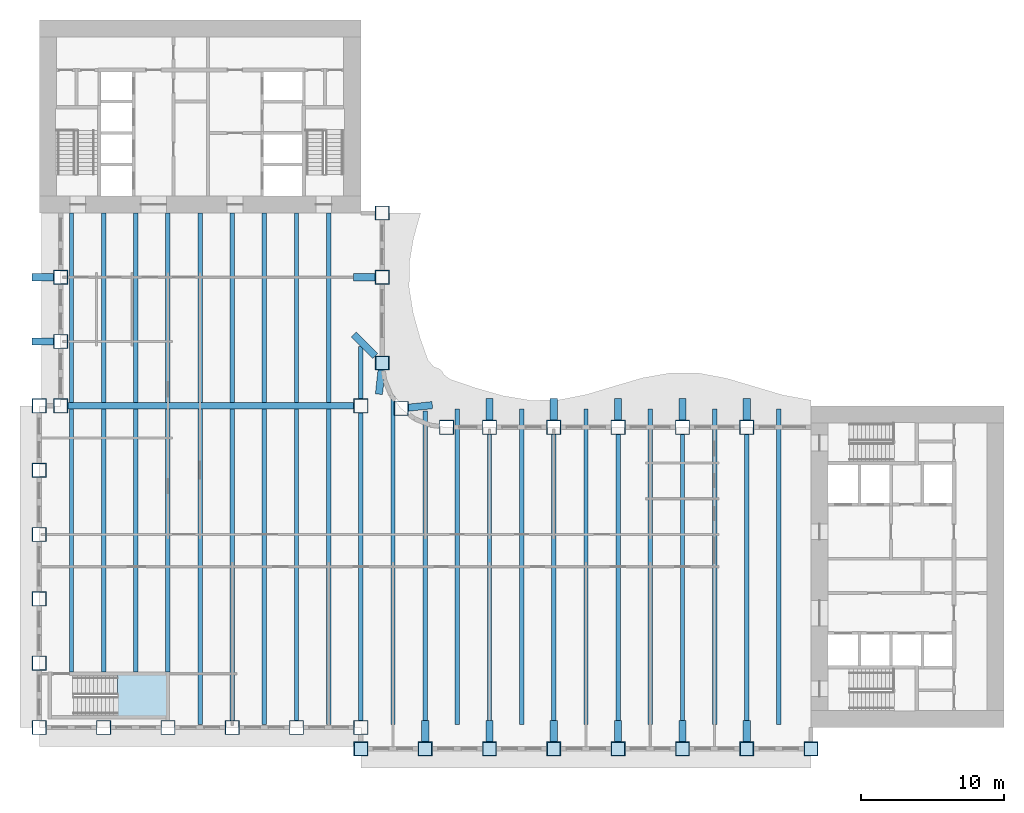
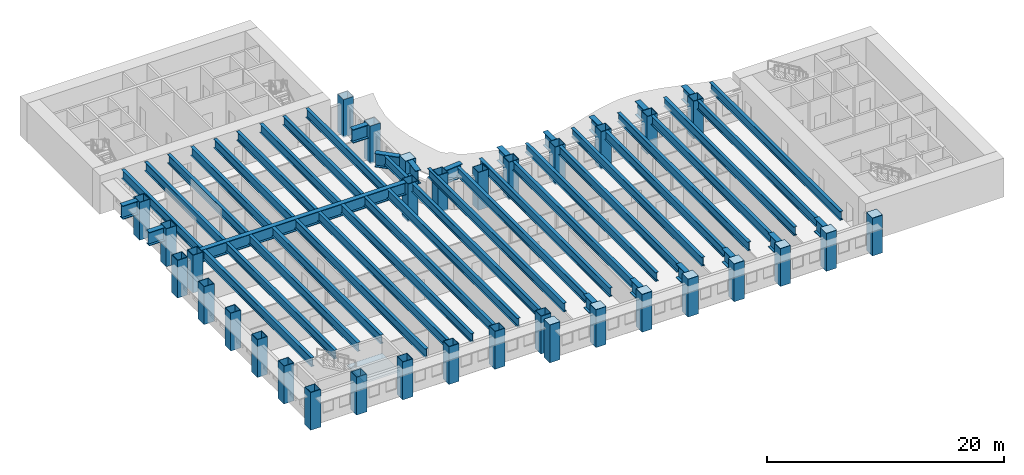
# One storey, part 1 of 16: 51 beams, 33 columns, 9 plates, 1 slab, 1 element without a shape of its own.
"""IFC4 building model written with IfcOpenShell, lengths in metres."""

from ifc_helpers import new_model, si_unit, direction, frame, origin, origin_2d, place, context, subcontext, project, spatial, polyline, rectangle, hollow_rectangle, i_section, outline, extrude, material, layer, layer_set, material_profile, profile_set, type_object, element, aggregate, save


model = new_model("IFC4")

# Units and contexts
model_context = context("Model", 3, precision=1e-05, world=origin(), true_north=direction((0.0, 1.0)))
body_context = subcontext(model_context, "Body", "Model", "MODEL_VIEW")
ifc_project = project(units=[si_unit("LENGTHUNIT", "METRE"), si_unit("AREAUNIT", "SQUARE_METRE"), si_unit("VOLUMEUNIT", "CUBIC_METRE"), si_unit("PLANEANGLEUNIT", "RADIAN"), si_unit("MASSUNIT", "GRAM", prefix="KILO")], contexts=[model_context])

# Site, building, storey
site_placement = place(None, origin())
site = spatial("IfcSite", under=ifc_project, at=site_placement, CompositionType="ELEMENT")
building_placement = place(site_placement, origin())
building = spatial("IfcBuilding", under=site, at=building_placement, Name="Sennacour Bend Tower", CompositionType="ELEMENT")
storey_placement = place(building_placement, frame((0.0, 0.0, 127.0)))
storey = spatial("IfcBuildingStorey", under=building, at=storey_placement, Name="L29", CompositionType="ELEMENT", Elevation=127.0)

# Columns
ifc_material_1 = material(Name="Steel ASTM A572 Grade 50", Category="steel")
ifc_material_profile_1 = material_profile(ifc_material_1, hollow_rectangle(XDim=1.0, YDim=1.0, WallThickness=0.050048828125, at=origin_2d()), Name="Steel ASTM A572 Grade 50", Category="steel")
ifc_profile_set_1 = profile_set([ifc_material_profile_1], Name="Steel ASTM A572 Grade 50")
column_type = type_object("IfcColumnType", Name="Box column 1000", PredefinedType="COLUMN", material=ifc_profile_set_1)
for number, where, z_axis, x_axis, name in (
    (1, (0.0, 0.0, -0.14990234375), (0.0, 0.0, 1.0), (1.0, 0.0, 0.0), "Perimeter column C2 L29-001"),
    (2, (0.0, 4.5, -0.14990234375), (0.0, 0.0, 1.0), (1.0, 0.0, 0.0), "Perimeter column C2 L29-002"),
    (3, (0.0, 9.0, -0.14990234375), (0.0, 0.0, 1.0), (1.0, 0.0, 0.0), "Perimeter column C2 L29-003"),
    (4, (0.0, 13.5, -0.14990234375), (0.0, 0.0, 1.0), (1.0, 0.0, 0.0), "Perimeter column C2 L29-004"),
    (5, (0.0, 18.0, -0.14990234375), (0.0, 0.0, 1.0), (1.0, 0.0, 0.0), "Perimeter column C2 L29-005"),
    (6, (0.0, 22.5, -0.14990234375), (0.0, 0.0, 1.0), (1.0, 0.0, 0.0), "Perimeter column C2 L29-006"),
    (7, (1.5, 22.5, -0.14990234375), (0.0, 0.0, 1.0), (1.0, 0.0, 0.0), "Perimeter column C2 L29-007"),
    (8, (1.5, 27.0, -0.14990234375), (0.0, 0.0, 1.0), (1.0, 0.0, 0.0), "Perimeter column C2 L29-008"),
    (9, (1.5, 31.5, -0.14990234375), (0.0, 0.0, 1.0), (1.0, 0.0, 0.0), "Perimeter column C2 L29-009"),
    (10, (4.5, 0.0, -0.14990234375), (0.0, 0.0, 1.0), (1.0, 0.0, 0.0), "Perimeter column C2 L29-010"),
    (11, (9.0, 0.0, -0.14990234375), (0.0, 0.0, 1.0), (1.0, 0.0, 0.0), "Perimeter column C2 L29-011"),
    (12, (13.5, 0.0, -0.14990234375), (0.0, 0.0, 1.0), (1.0, 0.0, 0.0), "Perimeter column C2 L29-012"),
    (13, (18.0, 0.0, -0.14990234375), (0.0, 0.0, 1.0), (1.0, 0.0, 0.0), "Perimeter column C2 L29-013"),
    (14, (22.5, -1.5, -0.14990234375), (0.0, 0.0, 1.0), (1.0, 0.0, 0.0), "Perimeter column C2 L29-014"),
    (15, (22.5, 0.0, -0.14990234375), (0.0, 0.0, 1.0), (1.0, 0.0, 0.0), "Perimeter column C2 L29-015"),
    (16, (22.5, 22.5, -0.14990234375), (0.0, 0.0, 1.0), (1.0, 0.0, 0.0), "Knuckle column C2 L29-016"),
    (17, (24.0, 25.5, -0.14990234375), (0.0, 0.0, 1.0), (1.0, 0.0, 0.0), "Perimeter column C2 L29-017"),
    (18, (24.0, 31.5, -0.14990234375), (0.0, 0.0, 1.0), (1.0, 0.0, 0.0), "Perimeter column C2 L29-018"),
    (19, (24.0, 36.0, -0.14990234375), (0.0, 0.0, 1.0), (1.0, 0.0, 0.0), "Perimeter column C2 L29-019"),
    (20, (25.318115234375, 22.318115234375, -0.14990234375), (0.0, 0.0, 1.0), (1.0, 0.0, 0.0), "Perimeter column C2 L29-020"),
    (21, (27.0, -1.5, -0.14990234375), (0.0, 0.0, 1.0), (1.0, 0.0, 0.0), "Perimeter column C2 L29-021"),
    (22, (28.5, 21.0, -0.14990234375), (0.0, 0.0, 1.0), (1.0, 0.0, 0.0), "Perimeter column C2 L29-022"),
    (23, (31.5, -1.5, -0.14990234375), (0.0, 0.0, 1.0), (1.0, 0.0, 0.0), "Perimeter column C2 L29-023"),
    (24, (31.5, 21.0, -0.14990234375), (0.0, 0.0, 1.0), (1.0, 0.0, 0.0), "Perimeter column C2 L29-024"),
    (25, (36.0, -1.5, -0.14990234375), (0.0, 0.0, 1.0), (1.0, 0.0, 0.0), "Perimeter column C2 L29-025"),
    (26, (36.0, 21.0, -0.14990234375), (0.0, 0.0, 1.0), (1.0, 0.0, 0.0), "Perimeter column C2 L29-026"),
    (27, (40.5, -1.5, -0.14990234375), (0.0, 0.0, 1.0), (1.0, 0.0, 0.0), "Perimeter column C2 L29-027"),
    (28, (40.5, 21.0, -0.14990234375), (0.0, 0.0, 1.0), (1.0, 0.0, 0.0), "Perimeter column C2 L29-028"),
    (29, (45.0, -1.5, -0.14990234375), (0.0, 0.0, 1.0), (1.0, 0.0, 0.0), "Perimeter column C2 L29-029"),
    (30, (45.0, 21.0, -0.14990234375), (0.0, 0.0, 1.0), (1.0, 0.0, 0.0), "Perimeter column C2 L29-030"),
    (31, (49.5, -1.5, -0.14990234375), (0.0, 0.0, 1.0), (1.0, 0.0, 0.0), "Perimeter column C2 L29-031"),
    (32, (49.5, 21.0, -0.14990234375), (0.0, 0.0, 1.0), (1.0, 0.0, 0.0), "Perimeter column C2 L29-032"),
    (33, (54.0, -1.5, -0.14990234375), (0.0, 0.0, 1.0), (1.0, 0.0, 0.0), "Perimeter column C2 L29-033"),
):
    element("IfcColumn", number, at=place(storey_placement, frame(where, z_axis=z_axis, x_axis=x_axis)), inside=storey, type_object=column_type, Name=name, PredefinedType="COLUMN", context=body_context, shape_type="SweptSolid", body=[
        extrude(hollow_rectangle(XDim=1.0, YDim=1.0, WallThickness=0.050048828125, at=origin_2d()), origin(), (0.0, 0.0, 1.0), 3.89990234375),
    ])

# Beams
ifc_material_2 = material(Name="Steel ASTM A992 Grade 50", Category="steel")
ifc_material_profile_2 = material_profile(ifc_material_2, i_section(OverallWidth=0.304931640625, OverallDepth=0.912109375, WebThickness=0.015869140625, FlangeThickness=0.02392578125, FilletRadius=0.01904296875, at=origin_2d()), Name="Steel ASTM A992 Grade 50", Category="steel")
ifc_profile_set_2 = profile_set([ifc_material_profile_2], Name="Steel ASTM A992 Grade 50")
beam_type_1 = type_object("IfcBeamType", Name="Floor beam W920X223", PredefinedType="BEAM", material=ifc_profile_set_2)
beam_1_placement = place(storey_placement, frame((2.25, 3.875, 3.2939453125), z_axis=(0.0, 1.0, 0.0), x_axis=(-1.0, 0.0, 0.0)))
element("IfcBeam", 34, at=beam_1_placement, inside=storey, type_object=beam_type_1, Name="Floor beam FBM1 L30-001", PredefinedType="BEAM", context=body_context, shape_type="SweptSolid", body=[
    extrude(i_section(OverallWidth=0.304931640625, OverallDepth=0.912109375, WebThickness=0.015869140625, FlangeThickness=0.02392578125, FilletRadius=0.01904296875, at=origin_2d()), origin(), (0.0, 0.0, 1.0), 18.39990234375),
])
beam_2_placement = place(storey_placement, frame((2.25, 22.72509765625, 3.2939453125), z_axis=(0.0, 1.0, 0.0), x_axis=(-1.0, 0.0, 0.0)))
element("IfcBeam", 35, at=beam_2_placement, inside=storey, type_object=beam_type_1, Name="Floor beam FBM1 L30-002", PredefinedType="BEAM", context=body_context, shape_type="SweptSolid", body=[
    extrude(i_section(OverallWidth=0.304931640625, OverallDepth=0.912109375, WebThickness=0.015869140625, FlangeThickness=0.02392578125, FilletRadius=0.01904296875, at=origin_2d()), origin(), (0.0, 0.0, 1.0), 13.27490234375),
])
beam_3_placement = place(storey_placement, frame((4.5, 3.875, 3.2939453125), z_axis=(0.0, 1.0, 0.0), x_axis=(-1.0, 0.0, 0.0)))
element("IfcBeam", 36, at=beam_3_placement, inside=storey, type_object=beam_type_1, Name="Floor beam FBM1 L30-003", PredefinedType="BEAM", context=body_context, shape_type="SweptSolid", body=[
    extrude(i_section(OverallWidth=0.304931640625, OverallDepth=0.912109375, WebThickness=0.015869140625, FlangeThickness=0.02392578125, FilletRadius=0.01904296875, at=origin_2d()), origin(), (0.0, 0.0, 1.0), 18.39990234375),
])
beam_4_placement = place(storey_placement, frame((4.5, 22.72509765625, 3.2939453125), z_axis=(0.0, 1.0, 0.0), x_axis=(-1.0, 0.0, 0.0)))
element("IfcBeam", 37, at=beam_4_placement, inside=storey, type_object=beam_type_1, Name="Floor beam FBM1 L30-004", PredefinedType="BEAM", context=body_context, shape_type="SweptSolid", body=[
    extrude(i_section(OverallWidth=0.304931640625, OverallDepth=0.912109375, WebThickness=0.015869140625, FlangeThickness=0.02392578125, FilletRadius=0.01904296875, at=origin_2d()), origin(), (0.0, 0.0, 1.0), 13.27490234375),
])
beam_5_placement = place(storey_placement, frame((6.75, 3.875, 3.2939453125), z_axis=(0.0, 1.0, 0.0), x_axis=(-1.0, 0.0, 0.0)))
element("IfcBeam", 38, at=beam_5_placement, inside=storey, type_object=beam_type_1, Name="Floor beam FBM1 L30-005", PredefinedType="BEAM", context=body_context, shape_type="SweptSolid", body=[
    extrude(i_section(OverallWidth=0.304931640625, OverallDepth=0.912109375, WebThickness=0.015869140625, FlangeThickness=0.02392578125, FilletRadius=0.01904296875, at=origin_2d()), origin(), (0.0, 0.0, 1.0), 18.39990234375),
])
beam_6_placement = place(storey_placement, frame((6.75, 22.72509765625, 3.2939453125), z_axis=(0.0, 1.0, 0.0), x_axis=(-1.0, 0.0, 0.0)))
element("IfcBeam", 39, at=beam_6_placement, inside=storey, type_object=beam_type_1, Name="Floor beam FBM1 L30-006", PredefinedType="BEAM", context=body_context, shape_type="SweptSolid", body=[
    extrude(i_section(OverallWidth=0.304931640625, OverallDepth=0.912109375, WebThickness=0.015869140625, FlangeThickness=0.02392578125, FilletRadius=0.01904296875, at=origin_2d()), origin(), (0.0, 0.0, 1.0), 13.27490234375),
])
beam_7_placement = place(storey_placement, frame((9.0, 3.875, 3.2939453125), z_axis=(0.0, 1.0, 0.0), x_axis=(-1.0, 0.0, 0.0)))
element("IfcBeam", 40, at=beam_7_placement, inside=storey, type_object=beam_type_1, Name="Floor beam FBM1 L30-007", PredefinedType="BEAM", context=body_context, shape_type="SweptSolid", body=[
    extrude(i_section(OverallWidth=0.304931640625, OverallDepth=0.912109375, WebThickness=0.015869140625, FlangeThickness=0.02392578125, FilletRadius=0.01904296875, at=origin_2d()), origin(), (0.0, 0.0, 1.0), 18.39990234375),
])
beam_8_placement = place(storey_placement, frame((9.0, 22.72509765625, 3.2939453125), z_axis=(0.0, 1.0, 0.0), x_axis=(-1.0, 0.0, 0.0)))
element("IfcBeam", 41, at=beam_8_placement, inside=storey, type_object=beam_type_1, Name="Floor beam FBM1 L30-008", PredefinedType="BEAM", context=body_context, shape_type="SweptSolid", body=[
    extrude(i_section(OverallWidth=0.304931640625, OverallDepth=0.912109375, WebThickness=0.015869140625, FlangeThickness=0.02392578125, FilletRadius=0.01904296875, at=origin_2d()), origin(), (0.0, 0.0, 1.0), 13.27490234375),
])
beam_9_placement = place(storey_placement, frame((11.25, 0.20947265625, 3.2939453125), z_axis=(0.0, 1.0, 0.0), x_axis=(-1.0, 0.0, 0.0)))
element("IfcBeam", 42, at=beam_9_placement, inside=storey, type_object=beam_type_1, Name="Floor beam FBM1 L30-009", PredefinedType="BEAM", context=body_context, shape_type="SweptSolid", body=[
    extrude(i_section(OverallWidth=0.304931640625, OverallDepth=0.912109375, WebThickness=0.015869140625, FlangeThickness=0.02392578125, FilletRadius=0.01904296875, at=origin_2d()), origin(), (0.0, 0.0, 1.0), 22.0654296875),
])
beam_10_placement = place(storey_placement, frame((11.25, 22.72509765625, 3.2939453125), z_axis=(0.0, 1.0, 0.0), x_axis=(-1.0, 0.0, 0.0)))
element("IfcBeam", 43, at=beam_10_placement, inside=storey, type_object=beam_type_1, Name="Floor beam FBM1 L30-010", PredefinedType="BEAM", context=body_context, shape_type="SweptSolid", body=[
    extrude(i_section(OverallWidth=0.304931640625, OverallDepth=0.912109375, WebThickness=0.015869140625, FlangeThickness=0.02392578125, FilletRadius=0.01904296875, at=origin_2d()), origin(), (0.0, 0.0, 1.0), 13.27490234375),
])
beam_11_placement = place(storey_placement, frame((13.5, 0.5, 3.2939453125), z_axis=(0.0, 1.0, 0.0), x_axis=(-1.0, 0.0, 0.0)))
element("IfcBeam", 44, at=beam_11_placement, inside=storey, type_object=beam_type_1, Name="Floor beam FBM1 L30-011", PredefinedType="BEAM", context=body_context, shape_type="SweptSolid", body=[
    extrude(i_section(OverallWidth=0.304931640625, OverallDepth=0.912109375, WebThickness=0.015869140625, FlangeThickness=0.02392578125, FilletRadius=0.01904296875, at=origin_2d()), origin(), (0.0, 0.0, 1.0), 21.77490234375),
])
beam_12_placement = place(storey_placement, frame((13.5, 22.72509765625, 3.2939453125), z_axis=(0.0, 1.0, 0.0), x_axis=(-1.0, 0.0, 0.0)))
element("IfcBeam", 45, at=beam_12_placement, inside=storey, type_object=beam_type_1, Name="Floor beam FBM1 L30-012", PredefinedType="BEAM", context=body_context, shape_type="SweptSolid", body=[
    extrude(i_section(OverallWidth=0.304931640625, OverallDepth=0.912109375, WebThickness=0.015869140625, FlangeThickness=0.02392578125, FilletRadius=0.01904296875, at=origin_2d()), origin(), (0.0, 0.0, 1.0), 13.27490234375),
])
beam_13_placement = place(storey_placement, frame((15.75, 0.20947265625, 3.2939453125), z_axis=(0.0, 1.0, 0.0), x_axis=(-1.0, 0.0, 0.0)))
element("IfcBeam", 46, at=beam_13_placement, inside=storey, type_object=beam_type_1, Name="Floor beam FBM1 L30-013", PredefinedType="BEAM", context=body_context, shape_type="SweptSolid", body=[
    extrude(i_section(OverallWidth=0.304931640625, OverallDepth=0.912109375, WebThickness=0.015869140625, FlangeThickness=0.02392578125, FilletRadius=0.01904296875, at=origin_2d()), origin(), (0.0, 0.0, 1.0), 22.0654296875),
])
beam_14_placement = place(storey_placement, frame((15.75, 22.72509765625, 3.2939453125), z_axis=(0.0, 1.0, 0.0), x_axis=(-1.0, 0.0, 0.0)))
element("IfcBeam", 47, at=beam_14_placement, inside=storey, type_object=beam_type_1, Name="Floor beam FBM1 L30-014", PredefinedType="BEAM", context=body_context, shape_type="SweptSolid", body=[
    extrude(i_section(OverallWidth=0.304931640625, OverallDepth=0.912109375, WebThickness=0.015869140625, FlangeThickness=0.02392578125, FilletRadius=0.01904296875, at=origin_2d()), origin(), (0.0, 0.0, 1.0), 13.27490234375),
])
beam_15_placement = place(storey_placement, frame((18.0, 0.5, 3.2939453125), z_axis=(0.0, 1.0, 0.0), x_axis=(-1.0, 0.0, 0.0)))
element("IfcBeam", 48, at=beam_15_placement, inside=storey, type_object=beam_type_1, Name="Floor beam FBM1 L30-015", PredefinedType="BEAM", context=body_context, shape_type="SweptSolid", body=[
    extrude(i_section(OverallWidth=0.304931640625, OverallDepth=0.912109375, WebThickness=0.015869140625, FlangeThickness=0.02392578125, FilletRadius=0.01904296875, at=origin_2d()), origin(), (0.0, 0.0, 1.0), 21.77490234375),
])
beam_16_placement = place(storey_placement, frame((18.0, 22.72509765625, 3.2939453125), z_axis=(0.0, 1.0, 0.0), x_axis=(-1.0, 0.0, 0.0)))
element("IfcBeam", 49, at=beam_16_placement, inside=storey, type_object=beam_type_1, Name="Floor beam FBM1 L30-016", PredefinedType="BEAM", context=body_context, shape_type="SweptSolid", body=[
    extrude(i_section(OverallWidth=0.304931640625, OverallDepth=0.912109375, WebThickness=0.015869140625, FlangeThickness=0.02392578125, FilletRadius=0.01904296875, at=origin_2d()), origin(), (0.0, 0.0, 1.0), 13.27490234375),
])
beam_17_placement = place(storey_placement, frame((20.25, 0.20947265625, 3.2939453125), z_axis=(0.0, 1.0, 0.0), x_axis=(-1.0, 0.0, 0.0)))
element("IfcBeam", 50, at=beam_17_placement, inside=storey, type_object=beam_type_1, Name="Floor beam FBM1 L30-017", PredefinedType="BEAM", context=body_context, shape_type="SweptSolid", body=[
    extrude(i_section(OverallWidth=0.304931640625, OverallDepth=0.912109375, WebThickness=0.015869140625, FlangeThickness=0.02392578125, FilletRadius=0.01904296875, at=origin_2d()), origin(), (0.0, 0.0, 1.0), 22.0654296875),
])
beam_18_placement = place(storey_placement, frame((20.25, 22.72509765625, 3.2939453125), z_axis=(0.0, 1.0, 0.0), x_axis=(-1.0, 0.0, 0.0)))
element("IfcBeam", 51, at=beam_18_placement, inside=storey, type_object=beam_type_1, Name="Floor beam FBM1 L30-018", PredefinedType="BEAM", context=body_context, shape_type="SweptSolid", body=[
    extrude(i_section(OverallWidth=0.304931640625, OverallDepth=0.912109375, WebThickness=0.015869140625, FlangeThickness=0.02392578125, FilletRadius=0.01904296875, at=origin_2d()), origin(), (0.0, 0.0, 1.0), 13.27490234375),
])
beam_19_placement = place(storey_placement, frame((22.5, 0.5, 3.2939453125), z_axis=(0.0, 1.0, 0.0), x_axis=(-1.0, 0.0, 0.0)))
element("IfcBeam", 52, at=beam_19_placement, inside=storey, type_object=beam_type_1, Name="Floor beam FBM1 L30-019", PredefinedType="BEAM", context=body_context, shape_type="SweptSolid", body=[
    extrude(i_section(OverallWidth=0.304931640625, OverallDepth=0.912109375, WebThickness=0.015869140625, FlangeThickness=0.02392578125, FilletRadius=0.01904296875, at=origin_2d()), origin(), (0.0, 0.0, 1.0), 21.5),
])
beam_20_placement = place(storey_placement, frame((22.5, 23.0, 3.2939453125), z_axis=(0.0, 1.0, 0.0), x_axis=(-1.0, 0.0, 0.0)))
element("IfcBeam", 53, at=beam_20_placement, inside=storey, type_object=beam_type_1, Name="Floor beam FBM1 L30-020", PredefinedType="BEAM", context=body_context, shape_type="SweptSolid", body=[
    extrude(i_section(OverallWidth=0.304931640625, OverallDepth=0.912109375, WebThickness=0.015869140625, FlangeThickness=0.02392578125, FilletRadius=0.01904296875, at=origin_2d()), origin(), (0.0, 0.0, 1.0), 3.646484375),
])
beam_21_placement = place(storey_placement, frame((24.75, 0.20947265625, 3.2939453125), z_axis=(0.0, 1.0, 0.0), x_axis=(-1.0, 0.0, 0.0)))
element("IfcBeam", 54, at=beam_21_placement, inside=storey, type_object=beam_type_1, Name="Floor beam FBM1 L30-021", PredefinedType="BEAM", context=body_context, shape_type="SweptSolid", body=[
    extrude(i_section(OverallWidth=0.304931640625, OverallDepth=0.912109375, WebThickness=0.015869140625, FlangeThickness=0.02392578125, FilletRadius=0.01904296875, at=origin_2d()), origin(), (0.0, 0.0, 1.0), 22.995849609375),
])
beam_22_placement = place(storey_placement, frame((27.0, 0.5, 3.2939453125), z_axis=(0.0, 1.0, 0.0), x_axis=(-1.0, 0.0, 0.0)))
element("IfcBeam", 55, at=beam_22_placement, inside=storey, type_object=beam_type_1, Name="Floor beam FBM1 L30-022", PredefinedType="BEAM", context=body_context, shape_type="SweptSolid", body=[
    extrude(i_section(OverallWidth=0.304931640625, OverallDepth=0.912109375, WebThickness=0.015869140625, FlangeThickness=0.02392578125, FilletRadius=0.01904296875, at=origin_2d()), origin(), (0.0, 0.0, 1.0), 21.64990234375),
])
beam_23_placement = place(storey_placement, frame((29.25, 0.20947265625, 3.2939453125), z_axis=(0.0, 1.0, 0.0), x_axis=(-1.0, 0.0, 0.0)))
element("IfcBeam", 56, at=beam_23_placement, inside=storey, type_object=beam_type_1, Name="Floor beam FBM1 L30-023", PredefinedType="BEAM", context=body_context, shape_type="SweptSolid", body=[
    extrude(i_section(OverallWidth=0.304931640625, OverallDepth=0.912109375, WebThickness=0.015869140625, FlangeThickness=0.02392578125, FilletRadius=0.01904296875, at=origin_2d()), origin(), (0.0, 0.0, 1.0), 22.0810546875),
])
beam_24_placement = place(storey_placement, frame((31.5, 0.5, 3.2939453125), z_axis=(0.0, 1.0, 0.0), x_axis=(-1.0, 0.0, 0.0)))
element("IfcBeam", 57, at=beam_24_placement, inside=storey, type_object=beam_type_1, Name="Floor beam FBM1 L30-024", PredefinedType="BEAM", context=body_context, shape_type="SweptSolid", body=[
    extrude(i_section(OverallWidth=0.304931640625, OverallDepth=0.912109375, WebThickness=0.015869140625, FlangeThickness=0.02392578125, FilletRadius=0.01904296875, at=origin_2d()), origin(), (0.0, 0.0, 1.0), 20.0),
])
beam_25_placement = place(storey_placement, frame((33.75, 0.20947265625, 3.2939453125), z_axis=(0.0, 1.0, 0.0), x_axis=(-1.0, 0.0, 0.0)))
element("IfcBeam", 58, at=beam_25_placement, inside=storey, type_object=beam_type_1, Name="Floor beam FBM1 L30-025", PredefinedType="BEAM", context=body_context, shape_type="SweptSolid", body=[
    extrude(i_section(OverallWidth=0.304931640625, OverallDepth=0.912109375, WebThickness=0.015869140625, FlangeThickness=0.02392578125, FilletRadius=0.01904296875, at=origin_2d()), origin(), (0.0, 0.0, 1.0), 22.0810546875),
])
beam_26_placement = place(storey_placement, frame((36.0, 0.5, 3.2939453125), z_axis=(0.0, 1.0, 0.0), x_axis=(-1.0, 0.0, 0.0)))
element("IfcBeam", 59, at=beam_26_placement, inside=storey, type_object=beam_type_1, Name="Floor beam FBM1 L30-026", PredefinedType="BEAM", context=body_context, shape_type="SweptSolid", body=[
    extrude(i_section(OverallWidth=0.304931640625, OverallDepth=0.912109375, WebThickness=0.015869140625, FlangeThickness=0.02392578125, FilletRadius=0.01904296875, at=origin_2d()), origin(), (0.0, 0.0, 1.0), 20.0),
])
beam_27_placement = place(storey_placement, frame((38.25, 0.20947265625, 3.2939453125), z_axis=(0.0, 1.0, 0.0), x_axis=(-1.0, 0.0, 0.0)))
element("IfcBeam", 60, at=beam_27_placement, inside=storey, type_object=beam_type_1, Name="Floor beam FBM1 L30-027", PredefinedType="BEAM", context=body_context, shape_type="SweptSolid", body=[
    extrude(i_section(OverallWidth=0.304931640625, OverallDepth=0.912109375, WebThickness=0.015869140625, FlangeThickness=0.02392578125, FilletRadius=0.01904296875, at=origin_2d()), origin(), (0.0, 0.0, 1.0), 22.0810546875),
])
beam_28_placement = place(storey_placement, frame((40.5, 0.5, 3.2939453125), z_axis=(0.0, 1.0, 0.0), x_axis=(-1.0, 0.0, 0.0)))
element("IfcBeam", 61, at=beam_28_placement, inside=storey, type_object=beam_type_1, Name="Floor beam FBM1 L30-028", PredefinedType="BEAM", context=body_context, shape_type="SweptSolid", body=[
    extrude(i_section(OverallWidth=0.304931640625, OverallDepth=0.912109375, WebThickness=0.015869140625, FlangeThickness=0.02392578125, FilletRadius=0.01904296875, at=origin_2d()), origin(), (0.0, 0.0, 1.0), 20.0),
])
beam_29_placement = place(storey_placement, frame((42.75, 0.20947265625, 3.2939453125), z_axis=(0.0, 1.0, 0.0), x_axis=(-1.0, 0.0, 0.0)))
element("IfcBeam", 62, at=beam_29_placement, inside=storey, type_object=beam_type_1, Name="Floor beam FBM1 L30-029", PredefinedType="BEAM", context=body_context, shape_type="SweptSolid", body=[
    extrude(i_section(OverallWidth=0.304931640625, OverallDepth=0.912109375, WebThickness=0.015869140625, FlangeThickness=0.02392578125, FilletRadius=0.01904296875, at=origin_2d()), origin(), (0.0, 0.0, 1.0), 22.0810546875),
])
beam_30_placement = place(storey_placement, frame((45.0, 0.5, 3.2939453125), z_axis=(0.0, 1.0, 0.0), x_axis=(-1.0, 0.0, 0.0)))
element("IfcBeam", 63, at=beam_30_placement, inside=storey, type_object=beam_type_1, Name="Floor beam FBM1 L30-030", PredefinedType="BEAM", context=body_context, shape_type="SweptSolid", body=[
    extrude(i_section(OverallWidth=0.304931640625, OverallDepth=0.912109375, WebThickness=0.015869140625, FlangeThickness=0.02392578125, FilletRadius=0.01904296875, at=origin_2d()), origin(), (0.0, 0.0, 1.0), 20.0),
])
beam_31_placement = place(storey_placement, frame((47.25, 0.20947265625, 3.2939453125), z_axis=(0.0, 1.0, 0.0), x_axis=(-1.0, 0.0, 0.0)))
element("IfcBeam", 64, at=beam_31_placement, inside=storey, type_object=beam_type_1, Name="Floor beam FBM1 L30-031", PredefinedType="BEAM", context=body_context, shape_type="SweptSolid", body=[
    extrude(i_section(OverallWidth=0.304931640625, OverallDepth=0.912109375, WebThickness=0.015869140625, FlangeThickness=0.02392578125, FilletRadius=0.01904296875, at=origin_2d()), origin(), (0.0, 0.0, 1.0), 22.0810546875),
])
beam_32_placement = place(storey_placement, frame((49.5, 0.5, 3.2939453125), z_axis=(0.0, 1.0, 0.0), x_axis=(-1.0, 0.0, 0.0)))
element("IfcBeam", 65, at=beam_32_placement, inside=storey, type_object=beam_type_1, Name="Floor beam FBM1 L30-032", PredefinedType="BEAM", context=body_context, shape_type="SweptSolid", body=[
    extrude(i_section(OverallWidth=0.304931640625, OverallDepth=0.912109375, WebThickness=0.015869140625, FlangeThickness=0.02392578125, FilletRadius=0.01904296875, at=origin_2d()), origin(), (0.0, 0.0, 1.0), 20.0),
])
beam_33_placement = place(storey_placement, frame((51.75, 0.20947265625, 3.2939453125), z_axis=(0.0, 1.0, 0.0), x_axis=(-1.0, 0.0, 0.0)))
element("IfcBeam", 66, at=beam_33_placement, inside=storey, type_object=beam_type_1, Name="Floor beam FBM1 L30-033", PredefinedType="BEAM", context=body_context, shape_type="SweptSolid", body=[
    extrude(i_section(OverallWidth=0.304931640625, OverallDepth=0.912109375, WebThickness=0.015869140625, FlangeThickness=0.02392578125, FilletRadius=0.01904296875, at=origin_2d()), origin(), (0.0, 0.0, 1.0), 22.0810546875),
])
ifc_material_profile_3 = material_profile(ifc_material_1, i_section(OverallWidth=0.449951171875, OverallDepth=1.25, WebThickness=0.028076171875, FlangeThickness=0.050048828125, at=origin_2d()), Name="Steel ASTM A572 Grade 50", Category="steel")
ifc_profile_set_3 = profile_set([ifc_material_profile_3], Name="Steel ASTM A572 Grade 50")
beam_type_2 = type_object("IfcBeamType", Name="Knuckle girder 1250", PredefinedType="USERDEFINED", material=ifc_profile_set_3)
beam_34_placement = place(storey_placement, frame((2.0, 22.5, 3.125), z_axis=(1.0, 0.0, 0.0), x_axis=(0.0, 1.0, 0.0)))
element("IfcBeam", 67, at=beam_34_placement, inside=storey, type_object=beam_type_2, Name="Knuckle girder GK L30-001", ObjectType="KNUCKLE GIRDER", PredefinedType="USERDEFINED", context=body_context, shape_type="SweptSolid", body=[
    extrude(i_section(OverallWidth=0.449951171875, OverallDepth=1.25, WebThickness=0.028076171875, FlangeThickness=0.050048828125, at=origin_2d()), origin(), (0.0, 0.0, 1.0), 20.0),
])
ifc_material_profile_4 = material_profile(ifc_material_1, i_section(OverallWidth=0.5, OverallDepth=1.39990234375, WebThickness=0.030029296875, FlangeThickness=0.054931640625, at=origin_2d()), Name="Steel ASTM A572 Grade 50", Category="steel")
ifc_profile_set_4 = profile_set([ifc_material_profile_4], Name="Steel ASTM A572 Grade 50")
beam_type_3 = type_object("IfcBeamType", Name="Transfer stub 1400", PredefinedType="USERDEFINED", material=ifc_profile_set_4)
for number, where, z_axis, x_axis, name in (
    (68, (1.0, 27.0, 3.050048828125), (-1.0, 0.0, 0.0), (0.0, -1.0, 0.0), "Transfer beam TS L30-001"),
    (69, (1.0, 31.5, 3.050048828125), (-1.0, 0.0, 0.0), (0.0, -1.0, 0.0), "Transfer beam TS L30-002"),
):
    element("IfcBeam", number, at=place(storey_placement, frame(where, z_axis=z_axis, x_axis=x_axis)), inside=storey, type_object=beam_type_3, Name=name, ObjectType="TRANSFER BEAM", PredefinedType="USERDEFINED", context=body_context, shape_type="SweptSolid", body=[
        extrude(i_section(OverallWidth=0.5, OverallDepth=1.39990234375, WebThickness=0.030029296875, FlangeThickness=0.054931640625, at=origin_2d()), origin(), (0.0, 0.0, 1.0), 1.5),
    ])
beam_35_placement = place(storey_placement, frame((23.5, 26.0, 3.050048828125), z_axis=(-0.707106781187, 0.707106781187, 0.0), x_axis=(-0.707106781187, -0.707106781187, 0.0)))
element("IfcBeam", 70, at=beam_35_placement, inside=storey, type_object=beam_type_3, Name="Transfer beam TS L30-003", ObjectType="TRANSFER BEAM", PredefinedType="USERDEFINED", context=body_context, shape_type="SweptSolid", body=[
    extrude(i_section(OverallWidth=0.5, OverallDepth=1.39990234375, WebThickness=0.030029296875, FlangeThickness=0.054931640625, at=origin_2d()), origin(), (0.0, 0.0, 1.0), 2.121337890625),
])
beam_36_placement = place(storey_placement, frame((23.5, 31.5, 3.050048828125), z_axis=(-1.0, 0.0, 0.0), x_axis=(0.0, -1.0, 0.0)))
element("IfcBeam", 71, at=beam_36_placement, inside=storey, type_object=beam_type_3, Name="Transfer beam TS L30-004", ObjectType="TRANSFER BEAM", PredefinedType="USERDEFINED", context=body_context, shape_type="SweptSolid", body=[
    extrude(i_section(OverallWidth=0.5, OverallDepth=1.39990234375, WebThickness=0.030029296875, FlangeThickness=0.054931640625, at=origin_2d()), origin(), (0.0, 0.0, 1.0), 1.5),
])
beam_37_placement = place(storey_placement, frame((23.94580078125, 25.0, 3.050048828125), z_axis=(-0.107516541636, -0.994203295747, 0.0), x_axis=(0.994203295747, -0.107516541636, 0.0)))
element("IfcBeam", 72, at=beam_37_placement, inside=storey, type_object=beam_type_3, Name="Transfer beam TS L30-005", ObjectType="TRANSFER BEAM", PredefinedType="USERDEFINED", context=body_context, shape_type="SweptSolid", body=[
    extrude(i_section(OverallWidth=0.5, OverallDepth=1.39990234375, WebThickness=0.030029296875, FlangeThickness=0.054931640625, at=origin_2d()), origin(), (0.0, 0.0, 1.0), 1.691650390625),
])
beam_38_placement = place(storey_placement, frame((27.0, -1.0, 3.050048828125), z_axis=(0.0, 1.0, 0.0), x_axis=(-1.0, 0.0, 0.0)))
element("IfcBeam", 73, at=beam_38_placement, inside=storey, type_object=beam_type_3, Name="Transfer beam TS L30-006", ObjectType="TRANSFER BEAM", PredefinedType="USERDEFINED", context=body_context, shape_type="SweptSolid", body=[
    extrude(i_section(OverallWidth=0.5, OverallDepth=1.39990234375, WebThickness=0.030029296875, FlangeThickness=0.054931640625, at=origin_2d()), origin(), (0.0, 0.0, 1.0), 1.5),
])
beam_39_placement = place(storey_placement, frame((25.818115234375, 22.3720703125, 3.050048828125), z_axis=(0.994187859179, 0.107659187538, 0.0), x_axis=(-0.107659187538, 0.994187859179, 0.0)))
element("IfcBeam", 74, at=beam_39_placement, inside=storey, type_object=beam_type_3, Name="Transfer beam TS L30-007", ObjectType="TRANSFER BEAM", PredefinedType="USERDEFINED", context=body_context, shape_type="SweptSolid", body=[
    extrude(i_section(OverallWidth=0.5, OverallDepth=1.39990234375, WebThickness=0.030029296875, FlangeThickness=0.054931640625, at=origin_2d()), origin(), (0.0, 0.0, 1.0), 1.691650390625),
])
for number, where, z_axis, x_axis, name in (
    (75, (31.5, -1.0, 3.050048828125), (0.0, 1.0, 0.0), (-1.0, 0.0, 0.0), "Transfer beam TS L30-008"),
    (76, (31.5, 21.5, 3.050048828125), (0.0, 1.0, 0.0), (-1.0, 0.0, 0.0), "Transfer beam TS L30-009"),
    (77, (36.0, -1.0, 3.050048828125), (0.0, 1.0, 0.0), (-1.0, 0.0, 0.0), "Transfer beam TS L30-010"),
    (78, (36.0, 21.5, 3.050048828125), (0.0, 1.0, 0.0), (-1.0, 0.0, 0.0), "Transfer beam TS L30-011"),
    (79, (40.5, -1.0, 3.050048828125), (0.0, 1.0, 0.0), (-1.0, 0.0, 0.0), "Transfer beam TS L30-012"),
    (80, (40.5, 21.5, 3.050048828125), (0.0, 1.0, 0.0), (-1.0, 0.0, 0.0), "Transfer beam TS L30-013"),
    (81, (45.0, -1.0, 3.050048828125), (0.0, 1.0, 0.0), (-1.0, 0.0, 0.0), "Transfer beam TS L30-014"),
    (82, (45.0, 21.5, 3.050048828125), (0.0, 1.0, 0.0), (-1.0, 0.0, 0.0), "Transfer beam TS L30-015"),
    (83, (49.5, -1.0, 3.050048828125), (0.0, 1.0, 0.0), (-1.0, 0.0, 0.0), "Transfer beam TS L30-016"),
    (84, (49.5, 21.5, 3.050048828125), (0.0, 1.0, 0.0), (-1.0, 0.0, 0.0), "Transfer beam TS L30-017"),
):
    element("IfcBeam", number, at=place(storey_placement, frame(where, z_axis=z_axis, x_axis=x_axis)), inside=storey, type_object=beam_type_3, Name=name, ObjectType="TRANSFER BEAM", PredefinedType="USERDEFINED", context=body_context, shape_type="SweptSolid", body=[
        extrude(i_section(OverallWidth=0.5, OverallDepth=1.39990234375, WebThickness=0.030029296875, FlangeThickness=0.054931640625, at=origin_2d()), origin(), (0.0, 0.0, 1.0), 1.5),
    ])

# Plates
ifc_layer_1 = layer(ifc_material_1, 0.02490234375, Name="Steel ASTM A572 Grade 50", Category="steel")
ifc_layer_set_1 = layer_set([ifc_layer_1], Name="Steel ASTM A572 Grade 50")
plate_type = type_object("IfcPlateType", Name="Column cap plate 1000", PredefinedType="USERDEFINED", material=ifc_layer_set_1)
for number, where, z_axis, x_axis, name in (
    (85, (22.5, -1.5, 3.75), (0.0, 0.0, 1.0), (1.0, 0.0, 0.0), "Column cap plate L29-014"),
    (86, (24.0, 25.5, 3.75), (0.0, 0.0, 1.0), (1.0, 0.0, 0.0), "Column cap plate L29-017"),
    (87, (27.0, -1.5, 3.75), (0.0, 0.0, 1.0), (1.0, 0.0, 0.0), "Column cap plate L29-021"),
    (88, (31.5, -1.5, 3.75), (0.0, 0.0, 1.0), (1.0, 0.0, 0.0), "Column cap plate L29-023"),
    (89, (36.0, -1.5, 3.75), (0.0, 0.0, 1.0), (1.0, 0.0, 0.0), "Column cap plate L29-025"),
    (90, (40.5, -1.5, 3.75), (0.0, 0.0, 1.0), (1.0, 0.0, 0.0), "Column cap plate L29-027"),
    (91, (45.0, -1.5, 3.75), (0.0, 0.0, 1.0), (1.0, 0.0, 0.0), "Column cap plate L29-029"),
    (92, (49.5, -1.5, 3.75), (0.0, 0.0, 1.0), (1.0, 0.0, 0.0), "Column cap plate L29-031"),
    (93, (54.0, -1.5, 3.75), (0.0, 0.0, 1.0), (1.0, 0.0, 0.0), "Column cap plate L29-033"),
):
    element("IfcPlate", number, at=place(storey_placement, frame(where, z_axis=z_axis, x_axis=x_axis)), inside=storey, type_object=plate_type, Name=name, ObjectType="END PLATE", PredefinedType="USERDEFINED", context=body_context, shape_type="SweptSolid", body=[
        extrude(rectangle(XDim=1.0, YDim=1.0, at=origin_2d()), origin(), (0.0, 0.0, 1.0), 0.02490234375),
    ])

# Stair, slab
ifc_material_3 = material(Name="Concrete C40/50", Category="concrete")
stair_type = type_object("IfcStairType", Name="ST-DOGLEG", PredefinedType="HALF_TURN_STAIR", material=ifc_material_3)
stair_placement = place(storey_placement, origin())
stair = element("IfcStair", 94, at=stair_placement, inside=storey, type_object=stair_type, Name="L29 Exit stair K1", PredefinedType="HALF_TURN_STAIR")
ifc_layer_2 = layer(ifc_material_3, 0.199951171875, Name="Concrete C40/50", Category="concrete")
ifc_layer_set_2 = layer_set([ifc_layer_2], Name="Concrete C40/50")
slab_type = type_object("IfcSlabType", Name="Stair landing 200", PredefinedType="LANDING", material=ifc_layer_set_2)
slab_placement = place(storey_placement, frame((0.0, 0.0, 1.800048828125)))
slab = element("IfcSlab", 95, at=slab_placement, type_object=slab_type, Name="SK1 landing 1", PredefinedType="LANDING", context=body_context, shape_type="SweptSolid", body=[
    extrude(outline(polyline([(5.47998046875, 0.800048828125), (8.925048828125, 0.800048828125), (8.925048828125, 3.675048828125), (5.47998046875, 3.675048828125), (5.47998046875, 0.800048828125)])), origin(), (0.0, 0.0, 1.0), 0.199951171875),
])
aggregate(stair, [slab])

save(model, "model.ifc")
